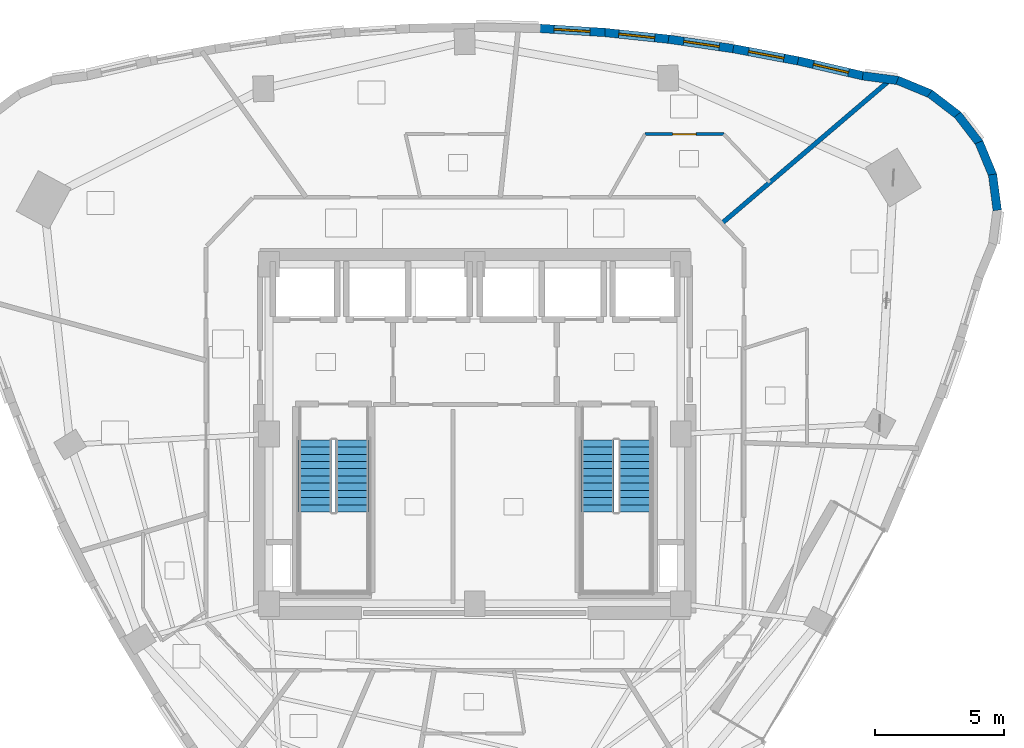
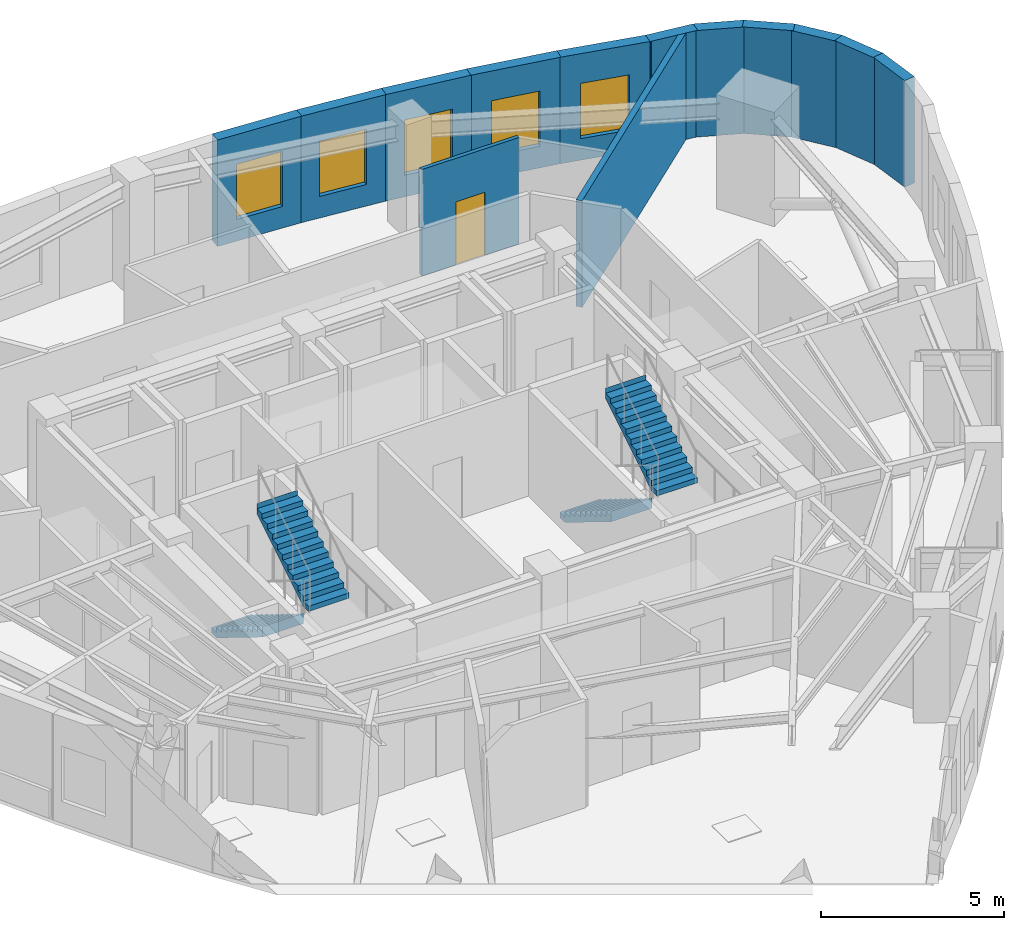
# One storey, part 9 of 12: 13 walls, 5 windows, 4 stair flights, 1 door, 6 openings, 2 elements without a shape of their own.
"""IFC4 building model written with IfcOpenShell, lengths in metres."""

from ifc_helpers import new_model, si_unit, direction, frame, frame_2d, origin, place, context, subcontext, project, spatial, polyline, rectangle, outline, extrude, material, layer, layer_set, type_object, element, fill, aggregate, save


model = new_model("IFC4")

# Units and contexts
model_context = context("Model", 3, precision=1e-05, world=origin(), true_north=direction((0.0, 1.0)))
body_context = subcontext(model_context, "Body", "Model", "MODEL_VIEW")
ifc_project = project(units=[si_unit("LENGTHUNIT", "METRE"), si_unit("AREAUNIT", "SQUARE_METRE"), si_unit("VOLUMEUNIT", "CUBIC_METRE"), si_unit("PLANEANGLEUNIT", "RADIAN"), si_unit("MASSUNIT", "GRAM", prefix="KILO")], contexts=[model_context])

# Site, building, storey
site_placement = place(None, origin())
site = spatial("IfcSite", under=ifc_project, at=site_placement, CompositionType="ELEMENT")
building_placement = place(site_placement, origin())
building = spatial("IfcBuilding", under=site, at=building_placement, Name="Ndelora Gate Hotel", CompositionType="ELEMENT")
storey_placement = place(building_placement, frame((0.0, 0.0, 205.550048828125)))
storey = spatial("IfcBuildingStorey", under=building, at=storey_placement, Name="L51", CompositionType="ELEMENT", Elevation=205.550048828125)

# Walls
ifc_material_1 = material(Name="Acoustic Double-Stud Gypsum Assembly", Category="gypsum")
ifc_layer_1 = layer(ifc_material_1, 0.179931640625)
ifc_layer_set_1 = layer_set([ifc_layer_1], Name="Acoustic Double-Stud Gypsum Assembly")
wall_type_1 = type_object("IfcWallType", Name="WL-ACOUST-180", PredefinedType="PARTITIONING", material=ifc_layer_set_1)
wall_1_placement = place(storey_placement, frame((9.591064453125, 8.18115234375, 0.0), z_axis=(0.0, 0.0, 1.0), x_axis=(0.760815854362, 0.648967823356, 0.0)))
element("IfcWall", 1, at=wall_1_placement, inside=storey, type_object=wall_type_1, Name="L51 Interior Wall IW-3", PredefinedType="PARTITIONING", context=body_context, shape_type="SweptSolid", body=[
    extrude(rectangle(XDim=8.619873046875, YDim=0.179931640625, at=frame_2d((4.31005859375, 0.0))), origin(), (0.0, 0.0, 1.0), 3.550048828125),
])
ifc_material_2 = material(Name="Clay Brick Masonry", Category="masonry")
ifc_layer_2 = layer(ifc_material_2, 0.330078125)
ifc_layer_set_2 = layer_set([ifc_layer_2], Name="Clay Brick Masonry")
wall_type_2 = type_object("IfcWallType", Name="WL-BRICK-330", PredefinedType="SOLIDWALL", material=ifc_layer_set_2)
for number, where, z_axis, x_axis, name in (
    (2, (20.11279296875, 10.084716796875, 0.0), (0.0, 0.0, 1.0), (0.130607061093, -0.991434211429, 0.0), "L51 Tower Brick Pier-and-Spandrel Wall TWR-41"),
    (3, (19.587158203125, 11.337158203125, 0.0), (0.0, 0.0, 1.0), (0.382668413767, -0.923885753275, 0.0), "L51 Tower Brick Pier-and-Spandrel Wall TWR-42"),
    (4, (18.755126953125, 12.410888671875, 0.0), (0.0, 0.0, 1.0), (0.608679143886, -0.793416473107, 0.0), "L51 Tower Brick Pier-and-Spandrel Wall TWR-43"),
):
    element("IfcWall", number, at=place(storey_placement, frame(where, z_axis=z_axis, x_axis=x_axis)), inside=storey, type_object=wall_type_2, Name=name, PredefinedType="SOLIDWALL", context=body_context, shape_type="SweptSolid", body=[
        extrude(rectangle(XDim=1.407470703125, YDim=0.330078125, at=frame_2d((0.70361328125, 0.0))), origin(), (0.0, 0.0, 1.0), 3.550048828125),
    ])
wall_2_placement = place(storey_placement, frame((17.673583984375, 13.232666015625, 0.0), z_axis=(0.0, 0.0, 1.0), x_axis=(0.793352193746, -0.608762923213, 0.0)))
element("IfcWall", 5, at=wall_2_placement, inside=storey, type_object=wall_type_2, Name="L51 Tower Brick Pier-and-Spandrel Wall TWR-44", PredefinedType="SOLIDWALL", context=body_context, shape_type="SweptSolid", body=[
    extrude(rectangle(XDim=1.4072265625, YDim=0.330078125, at=frame_2d((0.70361328125, 0.0))), origin(), (0.0, 0.0, 1.0), 3.550048828125),
])
for number, where, z_axis, x_axis, name in (
    (6, (16.416015625, 13.74658203125, 0.0), (0.0, 0.0, 1.0), (0.923885753275, -0.382668413767, 0.0), "L51 Tower Brick Pier-and-Spandrel Wall TWR-45"),
    (7, (15.068603515625, 13.91748046875, 0.0), (0.0, 0.0, 1.0), (0.991434211429, -0.130607061093, 0.0), "L51 Tower Brick Pier-and-Spandrel Wall TWR-46"),
):
    element("IfcWall", number, at=place(storey_placement, frame(where, z_axis=z_axis, x_axis=x_axis)), inside=storey, type_object=wall_type_2, Name=name, PredefinedType="SOLIDWALL", context=body_context, shape_type="SweptSolid", body=[
        extrude(rectangle(XDim=1.407470703125, YDim=0.330078125, at=frame_2d((0.70361328125, 0.0))), origin(), (0.0, 0.0, 1.0), 3.550048828125),
    ])

# Wall, opening, window
wall_3_placement = place(storey_placement, frame((12.553466796875, 14.500244140625, 0.0), z_axis=(0.0, 0.0, 1.0), x_axis=(0.974386504753, -0.224879833145, 0.0)))
wall_3 = element("IfcWall", 8, at=wall_3_placement, inside=storey, type_object=wall_type_2, Name="L51 Tower Brick Pier-and-Spandrel Wall TWR-47", PredefinedType="SOLIDWALL", context=body_context, shape_type="SweptSolid", body=[
    extrude(rectangle(XDim=2.631591796875, YDim=0.330078125, at=frame_2d((1.31591796875, 0.0))), origin(), (0.0, 0.0, 1.0), 3.550048828125),
])
opening_1_placement = place(wall_3_placement, frame((0.61572265625, 0.0, 0.719970703125)))
opening_1 = element("IfcOpeningElement", 9, at=opening_1_placement, cuts=wall_3, Name="Opening W02", PredefinedType="OPENING", context=body_context, shape_type="SweptSolid", body=[
    extrude(rectangle(XDim=1.39990234375, YDim=1.840087890625, at=frame_2d((0.699951171875, 0.919921875))), frame((0.0, 0.175048828125, 0.0), z_axis=(0.0, -1.0, 0.0), x_axis=(1.0, 0.0, 0.0)), (0.0, 0.0, 1.0), 0.35009765625),
])
ifc_material_3 = material(Name="Insulated Low-E Double Glazing in Bronze Aluminium Frame", Category="aluminium")
window_type = type_object("IfcWindowType", Name="WN-DEEP-1400", PartitioningType="SINGLE_PANEL", PredefinedType="WINDOW", material=ifc_material_3)
window_1_placement = place(opening_1_placement, origin())
window_1 = element("IfcWindow", 10, at=window_1_placement, inside=storey, type_object=window_type, Name="L51 Deep-Set Brick-Pier Window W02", OverallHeight=1.840087890625, OverallWidth=1.39990234375, PartitioningType="SINGLE_PANEL", PredefinedType="WINDOW", context=body_context, shape_type="SweptSolid", body=[
    extrude(rectangle(XDim=1.39990234375, YDim=1.840087890625, at=frame_2d((0.699951171875, 0.919921875))), frame((0.0, 0.030029296875, 0.0), z_axis=(0.0, -1.0, 0.0), x_axis=(1.0, 0.0, 0.0)), (0.0, 0.0, 1.0), 0.06005859375),
])
fill(opening_1, window_1)

wall_4_placement = place(storey_placement, frame((10.03759765625, 14.974365234375, 0.0), z_axis=(0.0, 0.0, 1.0), x_axis=(0.982628840182, -0.185581686713, 0.0)))
wall_4 = element("IfcWall", 11, at=wall_4_placement, inside=storey, type_object=wall_type_2, Name="L51 Tower Brick Pier-and-Spandrel Wall TWR-48", PredefinedType="SOLIDWALL", context=body_context, shape_type="SweptSolid", body=[
    extrude(rectangle(XDim=2.610107421875, YDim=0.330078125, at=frame_2d((1.30517578125, 0.0))), origin(), (0.0, 0.0, 1.0), 3.550048828125),
])
opening_2_placement = place(wall_4_placement, frame((0.60498046875, 0.0, 0.719970703125)))
opening_2 = element("IfcOpeningElement", 12, at=opening_2_placement, cuts=wall_4, Name="Opening W02", PredefinedType="OPENING", context=body_context, shape_type="SweptSolid", body=[
    extrude(rectangle(XDim=1.39990234375, YDim=1.840087890625, at=frame_2d((0.699951171875, 0.919921875))), frame((0.0, 0.175048828125, 0.0), z_axis=(0.0, -1.0, 0.0), x_axis=(1.0, 0.0, 0.0)), (0.0, 0.0, 1.0), 0.35009765625),
])
window_2_placement = place(opening_2_placement, origin())
window_2 = element("IfcWindow", 13, at=window_2_placement, inside=storey, type_object=window_type, Name="L51 Deep-Set Brick-Pier Window W02", OverallHeight=1.840087890625, OverallWidth=1.39990234375, PartitioningType="SINGLE_PANEL", PredefinedType="WINDOW", context=body_context, shape_type="SweptSolid", body=[
    extrude(rectangle(XDim=1.39990234375, YDim=1.840087890625, at=frame_2d((0.699951171875, 0.919921875))), frame((0.0, 0.030029296875, 0.0), z_axis=(0.0, -1.0, 0.0), x_axis=(1.0, 0.0, 0.0)), (0.0, 0.0, 1.0), 0.06005859375),
])
fill(opening_2, window_2)

wall_5_placement = place(storey_placement, frame((7.52197265625, 15.3427734375, 0.0), z_axis=(0.0, 0.0, 1.0), x_axis=(0.989386229934, -0.145309628097, 0.0)))
wall_5 = element("IfcWall", 14, at=wall_5_placement, inside=storey, type_object=wall_type_2, Name="L51 Tower Brick Pier-and-Spandrel Wall TWR-49", PredefinedType="SOLIDWALL", context=body_context, shape_type="SweptSolid", body=[
    extrude(rectangle(XDim=2.592529296875, YDim=0.330078125, at=frame_2d((1.29638671875, 0.0))), origin(), (0.0, 0.0, 1.0), 3.550048828125),
])
opening_3_placement = place(wall_5_placement, frame((0.59619140625, 0.0, 0.719970703125)))
opening_3 = element("IfcOpeningElement", 15, at=opening_3_placement, cuts=wall_5, Name="Opening W02", PredefinedType="OPENING", context=body_context, shape_type="SweptSolid", body=[
    extrude(rectangle(XDim=1.39990234375, YDim=1.840087890625, at=frame_2d((0.699951171875, 0.919921875))), frame((0.0, 0.175048828125, 0.0), z_axis=(0.0, -1.0, 0.0), x_axis=(1.0, 0.0, 0.0)), (0.0, 0.0, 1.0), 0.35009765625),
])
window_3_placement = place(opening_3_placement, origin())
window_3 = element("IfcWindow", 16, at=window_3_placement, inside=storey, type_object=window_type, Name="L51 Deep-Set Brick-Pier Window W02", OverallHeight=1.840087890625, OverallWidth=1.39990234375, PartitioningType="SINGLE_PANEL", PredefinedType="WINDOW", context=body_context, shape_type="SweptSolid", body=[
    extrude(rectangle(XDim=1.39990234375, YDim=1.840087890625, at=frame_2d((0.699951171875, 0.919921875))), frame((0.0, 0.030029296875, 0.0), z_axis=(0.0, -1.0, 0.0), x_axis=(1.0, 0.0, 0.0)), (0.0, 0.0, 1.0), 0.06005859375),
])
fill(opening_3, window_3)

wall_6_placement = place(storey_placement, frame((5.006103515625, 15.605712890625, 0.0), z_axis=(0.0, 0.0, 1.0), x_axis=(0.994536008198, -0.104394101355, 0.0)))
wall_6 = element("IfcWall", 17, at=wall_6_placement, inside=storey, type_object=wall_type_2, Name="L51 Tower Brick Pier-and-Spandrel Wall TWR-50", PredefinedType="SOLIDWALL", context=body_context, shape_type="SweptSolid", body=[
    extrude(rectangle(XDim=2.57958984375, YDim=0.330078125, at=frame_2d((1.289794921875, 0.0))), origin(), (0.0, 0.0, 1.0), 3.550048828125),
])
opening_4_placement = place(wall_6_placement, frame((0.589599609375, 0.0, 0.719970703125)))
opening_4 = element("IfcOpeningElement", 18, at=opening_4_placement, cuts=wall_6, Name="Opening W02", PredefinedType="OPENING", context=body_context, shape_type="SweptSolid", body=[
    extrude(rectangle(XDim=1.39990234375, YDim=1.840087890625, at=frame_2d((0.699951171875, 0.919921875))), frame((0.0, 0.175048828125, 0.0), z_axis=(0.0, -1.0, 0.0), x_axis=(1.0, 0.0, 0.0)), (0.0, 0.0, 1.0), 0.35009765625),
])
window_4_placement = place(opening_4_placement, origin())
window_4 = element("IfcWindow", 19, at=window_4_placement, inside=storey, type_object=window_type, Name="L51 Deep-Set Brick-Pier Window W02", OverallHeight=1.840087890625, OverallWidth=1.39990234375, PartitioningType="SINGLE_PANEL", PredefinedType="WINDOW", context=body_context, shape_type="SweptSolid", body=[
    extrude(rectangle(XDim=1.39990234375, YDim=1.840087890625, at=frame_2d((0.699951171875, 0.919921875))), frame((0.0, 0.030029296875, 0.0), z_axis=(0.0, -1.0, 0.0), x_axis=(1.0, 0.0, 0.0)), (0.0, 0.0, 1.0), 0.06005859375),
])
fill(opening_4, window_4)

wall_7_placement = place(storey_placement, frame((2.490478515625, 15.762939453125, 0.0), z_axis=(0.0, 0.0, 1.0), x_axis=(0.998021787146, -0.062869009715, 0.0)))
wall_7 = element("IfcWall", 20, at=wall_7_placement, inside=storey, type_object=wall_type_2, Name="L51 Tower Brick Pier-and-Spandrel Wall TWR-51", PredefinedType="SOLIDWALL", context=body_context, shape_type="SweptSolid", body=[
    extrude(rectangle(XDim=2.57080078125, YDim=0.330078125, at=frame_2d((1.285400390625, 0.0))), origin(), (0.0, 0.0, 1.0), 3.550048828125),
])
opening_5_placement = place(wall_7_placement, frame((0.585205078125, 0.0, 0.719970703125)))
opening_5 = element("IfcOpeningElement", 21, at=opening_5_placement, cuts=wall_7, Name="Opening W02", PredefinedType="OPENING", context=body_context, shape_type="SweptSolid", body=[
    extrude(rectangle(XDim=1.39990234375, YDim=1.840087890625, at=frame_2d((0.699951171875, 0.919921875))), frame((0.0, 0.175048828125, 0.0), z_axis=(0.0, -1.0, 0.0), x_axis=(1.0, 0.0, 0.0)), (0.0, 0.0, 1.0), 0.35009765625),
])
window_5_placement = place(opening_5_placement, origin())
window_5 = element("IfcWindow", 22, at=window_5_placement, inside=storey, type_object=window_type, Name="L51 Deep-Set Brick-Pier Window W02", OverallHeight=1.840087890625, OverallWidth=1.39990234375, PartitioningType="SINGLE_PANEL", PredefinedType="WINDOW", context=body_context, shape_type="SweptSolid", body=[
    extrude(rectangle(XDim=1.39990234375, YDim=1.840087890625, at=frame_2d((0.699951171875, 0.919921875))), frame((0.0, 0.030029296875, 0.0), z_axis=(0.0, -1.0, 0.0), x_axis=(1.0, 0.0, 0.0)), (0.0, 0.0, 1.0), 0.06005859375),
])
fill(opening_5, window_5)

# Wall, opening, door
ifc_material_4 = material(Name="Moisture-Resistant Bathroom Tile Partition", Category="gypsum")
ifc_layer_3 = layer(ifc_material_4, 0.1201171875)
ifc_layer_set_3 = layer_set([ifc_layer_3], Name="Moisture-Resistant Bathroom Tile Partition")
wall_type_3 = type_object("IfcWallType", Name="WL-WET-120", PredefinedType="PARTITIONING", material=ifc_layer_set_3)
wall_8_placement = place(storey_placement, frame((6.60888671875, 11.64990234375, 0.0), z_axis=(0.0, 0.0, 1.0), x_axis=(1.0, 0.0, 0.0)))
wall_8 = element("IfcWall", 23, at=wall_8_placement, inside=storey, type_object=wall_type_3, Name="L51 Interior Wall IW-7", PredefinedType="PARTITIONING", context=body_context, shape_type="SweptSolid", body=[
    extrude(rectangle(XDim=3.060546875, YDim=0.1201171875, at=frame_2d((1.5302734375, 0.0))), origin(), (0.0, 0.0, 1.0), 3.550048828125),
])
opening_6_placement = place(wall_8_placement, frame((1.0703125, 0.0, 0.0)))
opening_6 = element("IfcOpeningElement", 24, at=opening_6_placement, cuts=wall_8, Name="Opening D03", PredefinedType="OPENING", context=body_context, shape_type="SweptSolid", body=[
    extrude(rectangle(XDim=0.919921875, YDim=2.10009765625, at=frame_2d((0.4599609375, 1.050048828125))), frame((0.0, 0.070068359375, 0.0), z_axis=(0.0, -1.0, 0.0), x_axis=(1.0, 0.0, 0.0)), (0.0, 0.0, 1.0), 0.14013671875),
])
ifc_material_5 = material(Name="Moisture-Resistant Hardwood En-Suite Door", Category="wood")
door_type = type_object("IfcDoorType", Name="DR-BATH-920", OperationType="SINGLE_SWING_LEFT", PredefinedType="DOOR", material=ifc_material_5)
door_placement = place(opening_6_placement, origin())
door = element("IfcDoor", 25, at=door_placement, inside=storey, type_object=door_type, Name="L51 En-suite Bathroom 5403 Door", OperationType="SINGLE_SWING_RIGHT", OverallHeight=2.10009765625, OverallWidth=0.919921875, PredefinedType="DOOR", context=body_context, shape_type="SweptSolid", body=[
    extrude(rectangle(XDim=0.919921875, YDim=2.10009765625, at=frame_2d((0.4599609375, 1.050048828125))), frame((0.0, 0.02490234375, 0.0), z_axis=(0.0, -1.0, 0.0), x_axis=(1.0, 0.0, 0.0)), (0.0, 0.0, 1.0), 0.050048828125),
])
fill(opening_6, door)

# Stair, stair flights
ifc_material_6 = material(Name="Precast concrete C40/50", Category="concrete")
stair_type = type_object("IfcStairType", Name="STR-DOG-CORE", PredefinedType="HALF_TURN_STAIR", material=ifc_material_6)
stair_1_placement = place(storey_placement, origin())
stair_1 = element("IfcStair", 26, at=stair_1_placement, inside=storey, type_object=stair_type, Name="L51 Protected Core Exit Stair ST4", PredefinedType="HALF_TURN_STAIR")
stair_flight_type = type_object("IfcStairFlightType", Name="STF-PRECAST", PredefinedType="STRAIGHT", material=ifc_material_6)
stair_flight_1_placement = place(storey_placement, frame((-6.2099609375, -0.22998046875, 0.0), z_axis=(0.0, 0.0, 1.0), x_axis=(0.0, -1.0, 0.0)))
stair_flight_1 = element("IfcStairFlight", 27, at=stair_flight_1_placement, type_object=stair_flight_type, Name="ST4 flight 1", NumberOfRisers=11, NumberOfTreads=10, PredefinedType="STRAIGHT", RiserHeight=0.172727273, TreadLength=0.28, context=body_context, shape_type="SweptSolid", body=[
    extrude(outline(polyline([(-0.00048828125, 0.0), (-0.00048828125, 0.172607421875), (0.0, 0.172607421875), (0.280029296875, 0.172607421875), (0.280029296875, 0.345458984375), (0.56005859375, 0.345458984375), (0.56005859375, 0.51806640625), (0.840087890625, 0.51806640625), (0.840087890625, 0.69091796875), (1.1201171875, 0.69091796875), (1.1201171875, 0.863525390625), (1.39990234375, 0.863525390625), (1.39990234375, 1.036376953125), (1.679931640625, 1.036376953125), (1.679931640625, 1.208984375), (1.9599609375, 1.208984375), (1.9599609375, 1.3818359375), (2.239990234375, 1.3818359375), (2.239990234375, 1.554443359375), (2.52001953125, 1.554443359375), (2.52001953125, 1.727294921875), (2.800048828125, 1.727294921875), (2.800048828125, 1.89990234375), (2.800537109375, 1.89990234375), (2.800537109375, 1.719970703125), (2.800048828125, 1.551025390625), (0.285400390625, 0.0), (-0.00048828125, 0.0)])), frame((0.0, 0.64013671875, 0.0), z_axis=(0.0, -1.0, 0.0), x_axis=(1.0, 0.0, 0.0)), (0.0, 0.0, 1.0), 1.280029296875),
])
stair_flight_2_placement = place(storey_placement, frame((-4.77001953125, -3.030029296875, 1.89990234375), z_axis=(0.0, 0.0, 1.0), x_axis=(0.0, 1.0, 0.0)))
stair_flight_2 = element("IfcStairFlight", 28, at=stair_flight_2_placement, type_object=stair_flight_type, Name="ST4 flight 2", NumberOfRisers=11, NumberOfTreads=10, PredefinedType="STRAIGHT", RiserHeight=0.172727273, TreadLength=0.28, context=body_context, shape_type="SweptSolid", body=[
    extrude(outline(polyline([(-0.00048828125, 0.0), (-0.00048828125, 0.172607421875), (0.0, 0.172607421875), (0.280029296875, 0.172607421875), (0.280029296875, 0.345458984375), (0.56005859375, 0.345458984375), (0.56005859375, 0.51806640625), (0.840087890625, 0.51806640625), (0.840087890625, 0.69091796875), (1.1201171875, 0.69091796875), (1.1201171875, 0.863525390625), (1.39990234375, 0.863525390625), (1.39990234375, 1.036376953125), (1.679931640625, 1.036376953125), (1.679931640625, 1.208984375), (1.9599609375, 1.208984375), (1.9599609375, 1.3818359375), (2.239990234375, 1.3818359375), (2.239990234375, 1.554443359375), (2.52001953125, 1.554443359375), (2.52001953125, 1.727294921875), (2.800048828125, 1.727294921875), (2.800048828125, 1.89990234375), (2.800537109375, 1.89990234375), (2.800537109375, 1.719970703125), (2.800048828125, 1.551025390625), (0.285400390625, 0.0), (-0.00048828125, 0.0)])), frame((0.0, 0.64013671875, 0.0), z_axis=(0.0, -1.0, 0.0), x_axis=(1.0, 0.0, 0.0)), (0.0, 0.0, 1.0), 1.280029296875),
])
aggregate(stair_1, [stair_flight_1, stair_flight_2])

stair_2_placement = place(storey_placement, origin())
stair_2 = element("IfcStair", 29, at=stair_2_placement, inside=storey, type_object=stair_type, Name="L51 Protected Core Exit Stair ST5", PredefinedType="HALF_TURN_STAIR")
stair_flight_3_placement = place(storey_placement, frame((4.77001953125, -0.22998046875, 0.0), z_axis=(0.0, 0.0, 1.0), x_axis=(0.0, -1.0, 0.0)))
stair_flight_3 = element("IfcStairFlight", 30, at=stair_flight_3_placement, type_object=stair_flight_type, Name="ST5 flight 1", NumberOfRisers=11, NumberOfTreads=10, PredefinedType="STRAIGHT", RiserHeight=0.172727273, TreadLength=0.28, context=body_context, shape_type="SweptSolid", body=[
    extrude(outline(polyline([(-0.00048828125, 0.0), (-0.00048828125, 0.172607421875), (0.0, 0.172607421875), (0.280029296875, 0.172607421875), (0.280029296875, 0.345458984375), (0.56005859375, 0.345458984375), (0.56005859375, 0.51806640625), (0.840087890625, 0.51806640625), (0.840087890625, 0.69091796875), (1.1201171875, 0.69091796875), (1.1201171875, 0.863525390625), (1.39990234375, 0.863525390625), (1.39990234375, 1.036376953125), (1.679931640625, 1.036376953125), (1.679931640625, 1.208984375), (1.9599609375, 1.208984375), (1.9599609375, 1.3818359375), (2.239990234375, 1.3818359375), (2.239990234375, 1.554443359375), (2.52001953125, 1.554443359375), (2.52001953125, 1.727294921875), (2.800048828125, 1.727294921875), (2.800048828125, 1.89990234375), (2.800537109375, 1.89990234375), (2.800537109375, 1.719970703125), (2.800048828125, 1.551025390625), (0.285400390625, 0.0), (-0.00048828125, 0.0)])), frame((0.0, 0.64013671875, 0.0), z_axis=(0.0, -1.0, 0.0), x_axis=(1.0, 0.0, 0.0)), (0.0, 0.0, 1.0), 1.280029296875),
])
stair_flight_4_placement = place(storey_placement, frame((6.2099609375, -3.030029296875, 1.89990234375), z_axis=(0.0, 0.0, 1.0), x_axis=(0.0, 1.0, 0.0)))
stair_flight_4 = element("IfcStairFlight", 31, at=stair_flight_4_placement, type_object=stair_flight_type, Name="ST5 flight 2", NumberOfRisers=11, NumberOfTreads=10, PredefinedType="STRAIGHT", RiserHeight=0.172727273, TreadLength=0.28, context=body_context, shape_type="SweptSolid", body=[
    extrude(outline(polyline([(-0.00048828125, 0.0), (-0.00048828125, 0.172607421875), (0.0, 0.172607421875), (0.280029296875, 0.172607421875), (0.280029296875, 0.345458984375), (0.56005859375, 0.345458984375), (0.56005859375, 0.51806640625), (0.840087890625, 0.51806640625), (0.840087890625, 0.69091796875), (1.1201171875, 0.69091796875), (1.1201171875, 0.863525390625), (1.39990234375, 0.863525390625), (1.39990234375, 1.036376953125), (1.679931640625, 1.036376953125), (1.679931640625, 1.208984375), (1.9599609375, 1.208984375), (1.9599609375, 1.3818359375), (2.239990234375, 1.3818359375), (2.239990234375, 1.554443359375), (2.52001953125, 1.554443359375), (2.52001953125, 1.727294921875), (2.800048828125, 1.727294921875), (2.800048828125, 1.89990234375), (2.800537109375, 1.89990234375), (2.800537109375, 1.719970703125), (2.800048828125, 1.551025390625), (0.285400390625, 0.0), (-0.00048828125, 0.0)])), frame((0.0, 0.64013671875, 0.0), z_axis=(0.0, -1.0, 0.0), x_axis=(1.0, 0.0, 0.0)), (0.0, 0.0, 1.0), 1.280029296875),
])
aggregate(stair_2, [stair_flight_3, stair_flight_4])

save(model, "model.ifc")
